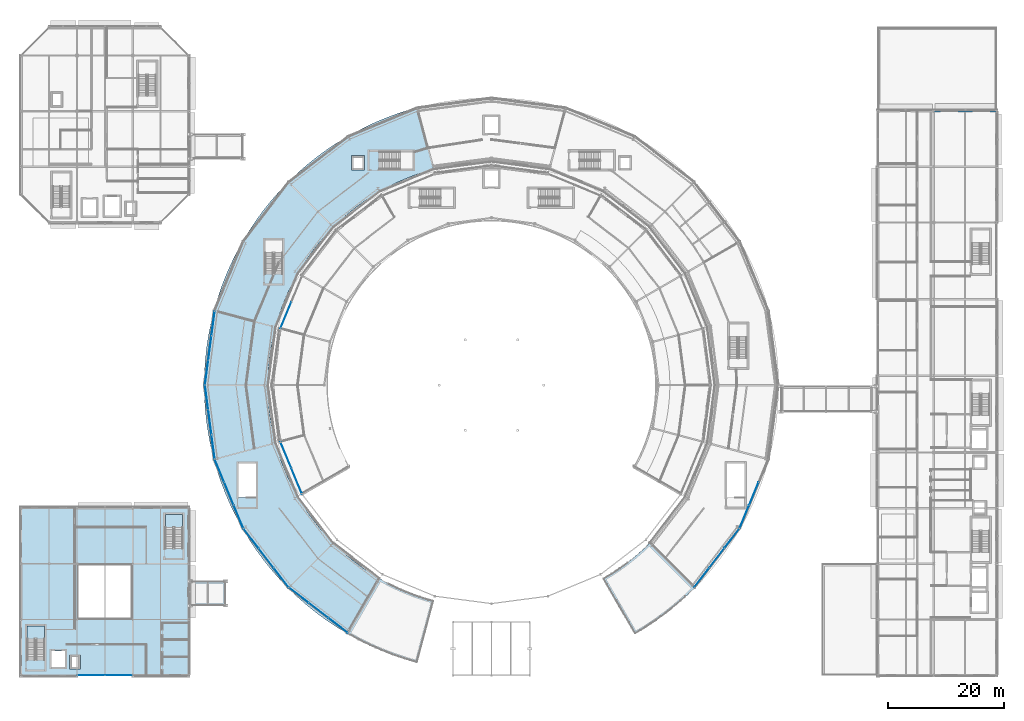
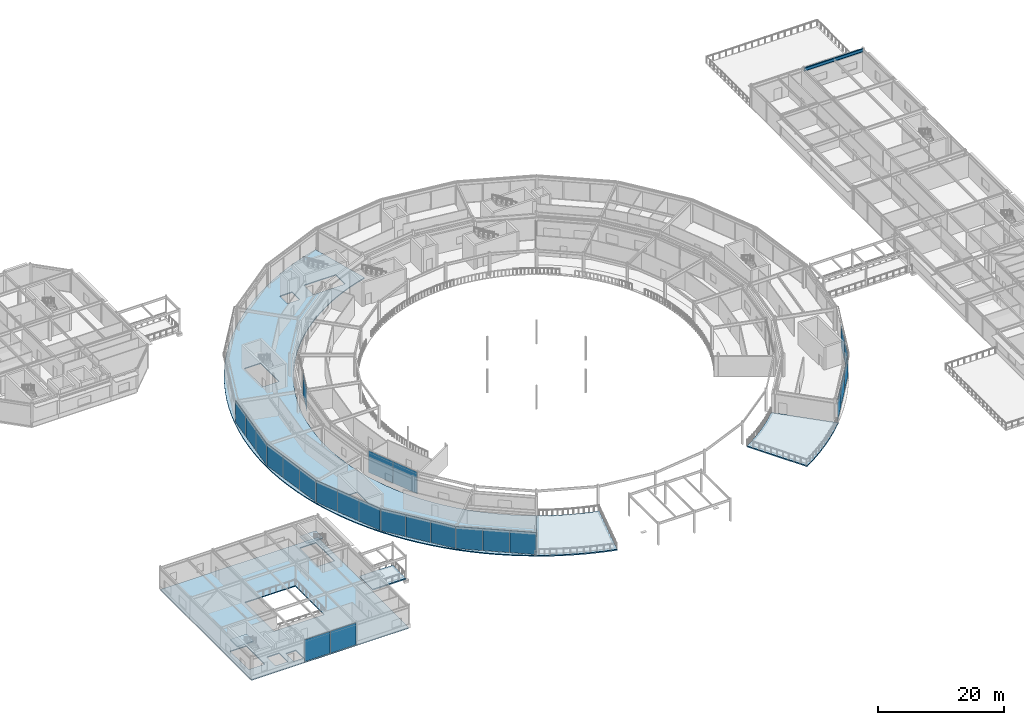
# One storey, part 110 of 157: 25 plates, 7 slabs, 1 beam, 12 elements without a shape of their own.
"""IFC4 building model written with IfcOpenShell, lengths in metres."""

from ifc_helpers import new_model, si_unit, direction, frame, origin, origin_2d, place, context, subcontext, project, spatial, polyline, rectangle, i_section, outline, extrude, material, layer, layer_set, material_profile, profile_set, type_object, element, aggregate, save


model = new_model("IFC4")

# Units and contexts
model_context = context("Model", 3, precision=1e-05, world=origin(), true_north=direction((0.0, 1.0)))
body_context = subcontext(model_context, "Body", "Model", "MODEL_VIEW")
ifc_project = project(units=[si_unit("LENGTHUNIT", "METRE"), si_unit("AREAUNIT", "SQUARE_METRE"), si_unit("VOLUMEUNIT", "CUBIC_METRE"), si_unit("PLANEANGLEUNIT", "RADIAN"), si_unit("MASSUNIT", "GRAM", prefix="KILO")], contexts=[model_context])

# Site, building, storey
site_placement = place(None, origin())
site = spatial("IfcSite", under=ifc_project, at=site_placement, CompositionType="ELEMENT")
building_placement = place(site_placement, origin())
building = spatial("IfcBuilding", under=site, at=building_placement, Name="Almandine Court Research Institute", CompositionType="ELEMENT")
storey_placement = place(building_placement, frame((0.0, 0.0, 5.25)))
storey = spatial("IfcBuildingStorey", under=building, at=storey_placement, Name="L01", CompositionType="ELEMENT", Elevation=5.25)

# Beam
ifc_material_1 = material(Name="Steel ASTM A992 Grade 50", Category="steel")
ifc_material_profile = material_profile(ifc_material_1, i_section(OverallWidth=0.22998046875, OverallDepth=0.616943359375, WebThickness=0.012939453125, FlangeThickness=0.02197265625, at=origin_2d()), Name="W610x140")
ifc_profile_set = profile_set([ifc_material_profile], Name="Steel ASTM A992 Grade 50")
beam_type = type_object("IfcBeamType", Name="Beam-G-02", PredefinedType="BEAM", material=ifc_profile_set)
beam_placement = place(storey_placement, frame((163.199951171875, 103.199951171875, 4.013916015625), z_axis=(1.0, 0.0, 0.0), x_axis=(0.0, 1.0, 0.0)))
element("IfcBeam", 1, at=beam_placement, inside=storey, type_object=beam_type, Name="L01 V4 Primary X Girder", PredefinedType="BEAM", context=body_context, shape_type="SweptSolid", body=[
    extrude(i_section(OverallWidth=0.22998046875, OverallDepth=0.616943359375, WebThickness=0.012939453125, FlangeThickness=0.02197265625, at=origin_2d()), origin(), (0.0, 0.0, 1.0), 10.800048828125),
])

# Curtain wall, plate
ifc_material_2 = material(Name="Unitised Curtain Wall Framing and Solar Glazing", Category="glass")
curtain_wall_type_1 = type_object("IfcCurtainWallType", Name="CW-CWG-24", PredefinedType="USERDEFINED", material=ifc_material_2)
curtain_wall_1_placement = place(storey_placement, origin())
curtain_wall_1 = element("IfcCurtainWall", 2, at=curtain_wall_1_placement, inside=storey, type_object=curtain_wall_type_1, Name="L01 Interaction Atrium Perimeter Curtain Wall 10", ObjectType="UNITISED GLAZING", PredefinedType="USERDEFINED")
ifc_material_3 = material(Name="Double-Glazed Low-E Argon Insulated Glass", Category="glass")
ifc_layer_1 = layer(ifc_material_3, 0.028076171875)
ifc_layer_set_1 = layer_set([ifc_layer_1], Name="Double-Glazed Low-E Argon Insulated Glass")
plate_type_1 = type_object("IfcPlateType", Name="CWPnl-GLZ-28", PredefinedType="CURTAIN_PANEL", material=ifc_layer_set_1)
plate_1_placement = place(storey_placement, frame((51.579345703125, 68.0302734375, 0.06005859375), z_axis=(0.0, 0.0, 1.0), x_axis=(0.382633558665, 0.923900189297, 0.0)))
plate_1 = element("IfcPlate", 3, at=plate_1_placement, type_object=plate_type_1, Name="CWG-24 panel 1.1", PredefinedType="CURTAIN_PANEL", context=body_context, shape_type="SweptSolid", body=[
    extrude(rectangle(XDim=4.82080078125, YDim=0.028076171875, at=origin_2d()), origin(), (0.0, 0.0, 1.0), 4.25),
])
aggregate(curtain_wall_1, [plate_1])

# Curtain wall, plates
curtain_wall_2_placement = place(storey_placement, origin())
curtain_wall_2 = element("IfcCurtainWall", 4, at=curtain_wall_2_placement, inside=storey, type_object=curtain_wall_type_1, Name="L01 Interaction Atrium Perimeter Curtain Wall 13", ObjectType="UNITISED GLAZING", PredefinedType="USERDEFINED")
plate_2_placement = place(storey_placement, frame((53.44677734375, 39.46044921875, 0.06005859375), z_axis=(0.0, 0.0, 1.0), x_axis=(-0.382633558665, 0.923900189297, 0.0)))
plate_2 = element("IfcPlate", 5, at=plate_2_placement, type_object=plate_type_1, Name="CWG-24 panel 1.1", PredefinedType="CURTAIN_PANEL", context=body_context, shape_type="SweptSolid", body=[
    extrude(rectangle(XDim=4.82080078125, YDim=0.028076171875, at=origin_2d()), origin(), (0.0, 0.0, 1.0), 4.25),
])
plate_3_placement = place(storey_placement, frame((51.579345703125, 43.9697265625, 0.06005859375), z_axis=(0.0, 0.0, 1.0), x_axis=(-0.382633558665, 0.923900189297, 0.0)))
plate_3 = element("IfcPlate", 6, at=plate_3_placement, type_object=plate_type_1, Name="CWG-24 panel 2.1", PredefinedType="CURTAIN_PANEL", context=body_context, shape_type="SweptSolid", body=[
    extrude(rectangle(XDim=4.82080078125, YDim=0.028076171875, at=origin_2d()), origin(), (0.0, 0.0, 1.0), 4.25),
])
aggregate(curtain_wall_2, [plate_2, plate_3])

curtain_wall_type_2 = type_object("IfcCurtainWallType", Name="CW-CWJ-02", PredefinedType="USERDEFINED", material=ifc_material_2)
curtain_wall_3_placement = place(storey_placement, origin())
curtain_wall_3 = element("IfcCurtainWall", 7, at=curtain_wall_3_placement, inside=storey, type_object=curtain_wall_type_2, Name="L01 Lecture Foyer South Jali Curtain Wall", ObjectType="SOLAR JALI SCREEN", PredefinedType="USERDEFINED")
ifc_material_4 = material(Name="Perforated Ochre Terracotta Jali Solar Cassette", Category="masonry")
ifc_layer_2 = layer(ifc_material_4, 0.035888671875)
ifc_layer_set_2 = layer_set([ifc_layer_2], Name="Perforated Ochre Terracotta Jali Solar Cassette")
plate_type_2 = type_object("IfcPlateType", Name="CWPnl-JALI-36", PredefinedType="CURTAIN_PANEL", material=ifc_layer_set_2)
plate_4_placement = place(storey_placement, frame((22.78173828125, 6.0, 0.06494140625), z_axis=(0.0, 0.0, 1.0), x_axis=(-1.0, 0.0, 0.0)))
plate_4 = element("IfcPlate", 8, at=plate_4_placement, type_object=plate_type_2, Name="CWJ-02 panel 1.1", PredefinedType="CURTAIN_PANEL", context=body_context, shape_type="SweptSolid", body=[
    extrude(rectangle(XDim=4.698486328125, YDim=0.035888671875, at=origin_2d()), origin(), (0.0, 0.0, 1.0), 4.239990234375),
])
plate_5_placement = place(storey_placement, frame((18.018310546875, 6.0, 0.06494140625), z_axis=(0.0, 0.0, 1.0), x_axis=(-1.0, 0.0, 0.0)))
plate_5 = element("IfcPlate", 9, at=plate_5_placement, type_object=plate_type_2, Name="CWJ-02 panel 2.1", PredefinedType="CURTAIN_PANEL", context=body_context, shape_type="SweptSolid", body=[
    extrude(rectangle(XDim=4.698486328125, YDim=0.035888671875, at=origin_2d()), origin(), (0.0, 0.0, 1.0), 4.239990234375),
])
aggregate(curtain_wall_3, [plate_4, plate_5])

curtain_wall_type_3 = type_object("IfcCurtainWallType", Name="CW-CWJ-19", PredefinedType="USERDEFINED", material=ifc_material_2)
curtain_wall_4_placement = place(storey_placement, origin())
curtain_wall_4 = element("IfcCurtainWall", 10, at=curtain_wall_4_placement, inside=storey, type_object=curtain_wall_type_3, Name="L01 Stacked-Ring Drum Outer Solar Jali Screen 21", ObjectType="SOLAR JALI SCREEN", PredefinedType="USERDEFINED")
plate_6_placement = place(storey_placement, frame((128.4287109375, 29.601318359375, 0.06494140625), z_axis=(0.0, 0.0, 1.0), x_axis=(-0.608723313303, -0.793382586046, 0.0)))
plate_6 = element("IfcPlate", 11, at=plate_6_placement, type_object=plate_type_2, Name="CWJ-19 panel 1.1", PredefinedType="CURTAIN_PANEL", context=body_context, shape_type="SweptSolid", body=[
    extrude(rectangle(XDim=4.195068359375, YDim=0.035888671875, at=origin_2d()), origin(), (0.0, 0.0, 1.0), 4.239990234375),
])
plate_7_placement = place(storey_placement, frame((125.825439453125, 26.20849609375, 0.06494140625), z_axis=(0.0, 0.0, 1.0), x_axis=(-0.608723313303, -0.793382586046, 0.0)))
plate_7 = element("IfcPlate", 12, at=plate_7_placement, type_object=plate_type_2, Name="CWJ-19 panel 2.1", PredefinedType="CURTAIN_PANEL", context=body_context, shape_type="SweptSolid", body=[
    extrude(rectangle(XDim=4.2275390625, YDim=0.035888671875, at=origin_2d()), origin(), (0.0, 0.0, 1.0), 4.239990234375),
])
plate_8_placement = place(storey_placement, frame((123.222412109375, 22.815673828125, 0.06494140625), z_axis=(0.0, 0.0, 1.0), x_axis=(-0.608723313303, -0.793382586046, 0.0)))
plate_8 = element("IfcPlate", 13, at=plate_8_placement, type_object=plate_type_2, Name="CWJ-19 panel 3.1", PredefinedType="CURTAIN_PANEL", context=body_context, shape_type="SweptSolid", body=[
    extrude(rectangle(XDim=4.195068359375, YDim=0.035888671875, at=origin_2d()), origin(), (0.0, 0.0, 1.0), 4.239990234375),
])
aggregate(curtain_wall_4, [plate_6, plate_7, plate_8])

curtain_wall_5_placement = place(storey_placement, origin())
curtain_wall_5 = element("IfcCurtainWall", 14, at=curtain_wall_5_placement, inside=storey, type_object=curtain_wall_type_3, Name="L01 Stacked-Ring Drum Outer Solar Jali Screen 22", ObjectType="SOLAR JALI SCREEN", PredefinedType="USERDEFINED")
plate_9_placement = place(storey_placement, frame((132.212890625, 37.27197265625, 0.06494140625), z_axis=(0.0, 0.0, 1.0), x_axis=(-0.382662689242, -0.923888124321, 0.0)))
plate_9 = element("IfcPlate", 15, at=plate_9_placement, type_object=plate_type_2, Name="CWJ-19 panel 2.1", PredefinedType="CURTAIN_PANEL", context=body_context, shape_type="SweptSolid", body=[
    extrude(rectangle(XDim=4.227783203125, YDim=0.035888671875, at=origin_2d()), origin(), (0.0, 0.0, 1.0), 4.239990234375),
])
plate_10_placement = place(storey_placement, frame((130.57666015625, 33.321044921875, 0.06494140625), z_axis=(0.0, 0.0, 1.0), x_axis=(-0.382662689242, -0.923888124321, 0.0)))
plate_10 = element("IfcPlate", 16, at=plate_10_placement, type_object=plate_type_2, Name="CWJ-19 panel 3.1", PredefinedType="CURTAIN_PANEL", context=body_context, shape_type="SweptSolid", body=[
    extrude(rectangle(XDim=4.1953125, YDim=0.035888671875, at=origin_2d()), origin(), (0.0, 0.0, 1.0), 4.239990234375),
])
aggregate(curtain_wall_5, [plate_9, plate_10])

curtain_wall_6_placement = place(storey_placement, origin())
curtain_wall_6 = element("IfcCurtainWall", 17, at=curtain_wall_6_placement, inside=storey, type_object=curtain_wall_type_3, Name="L01 Stacked-Ring Drum Outer Solar Jali Screen 11", ObjectType="SOLAR JALI SCREEN", PredefinedType="USERDEFINED")
plate_11_placement = place(storey_placement, frame((37.92236328125, 58.14794921875, 0.06494140625), z_axis=(0.0, 0.0, 1.0), x_axis=(0.130540891259, 0.991442926098, 0.0)))
plate_11 = element("IfcPlate", 18, at=plate_11_placement, type_object=plate_type_2, Name="CWJ-19 panel 1.1", PredefinedType="CURTAIN_PANEL", context=body_context, shape_type="SweptSolid", body=[
    extrude(rectangle(XDim=4.19482421875, YDim=0.035888671875, at=origin_2d()), origin(), (0.0, 0.0, 1.0), 4.239990234375),
])
plate_12_placement = place(storey_placement, frame((38.48046875, 62.387451171875, 0.06494140625), z_axis=(0.0, 0.0, 1.0), x_axis=(0.130540891259, 0.991442926098, 0.0)))
plate_12 = element("IfcPlate", 19, at=plate_12_placement, type_object=plate_type_2, Name="CWJ-19 panel 2.1", PredefinedType="CURTAIN_PANEL", context=body_context, shape_type="SweptSolid", body=[
    extrude(rectangle(XDim=4.227294921875, YDim=0.035888671875, at=origin_2d()), origin(), (0.0, 0.0, 1.0), 4.239990234375),
])
plate_13_placement = place(storey_placement, frame((39.038818359375, 66.626953125, 0.06494140625), z_axis=(0.0, 0.0, 1.0), x_axis=(0.130540891259, 0.991442926098, 0.0)))
plate_13 = element("IfcPlate", 20, at=plate_13_placement, type_object=plate_type_2, Name="CWJ-19 panel 3.1", PredefinedType="CURTAIN_PANEL", context=body_context, shape_type="SweptSolid", body=[
    extrude(rectangle(XDim=4.19482421875, YDim=0.035888671875, at=origin_2d()), origin(), (0.0, 0.0, 1.0), 4.239990234375),
])
aggregate(curtain_wall_6, [plate_11, plate_12, plate_13])

curtain_wall_7_placement = place(storey_placement, origin())
curtain_wall_7 = element("IfcCurtainWall", 21, at=curtain_wall_7_placement, inside=storey, type_object=curtain_wall_type_3, Name="L01 Stacked-Ring Drum Outer Solar Jali Screen 12", ObjectType="SOLAR JALI SCREEN", PredefinedType="USERDEFINED")
plate_14_placement = place(storey_placement, frame((39.038818359375, 45.373046875, 0.06494140625), z_axis=(0.0, 0.0, 1.0), x_axis=(-0.130540891259, 0.991442926098, 0.0)))
plate_14 = element("IfcPlate", 22, at=plate_14_placement, type_object=plate_type_2, Name="CWJ-19 panel 1.1", PredefinedType="CURTAIN_PANEL", context=body_context, shape_type="SweptSolid", body=[
    extrude(rectangle(XDim=4.19482421875, YDim=0.035888671875, at=origin_2d()), origin(), (0.0, 0.0, 1.0), 4.239990234375),
])
plate_15_placement = place(storey_placement, frame((38.48046875, 49.612548828125, 0.06494140625), z_axis=(0.0, 0.0, 1.0), x_axis=(-0.130540891259, 0.991442926098, 0.0)))
plate_15 = element("IfcPlate", 23, at=plate_15_placement, type_object=plate_type_2, Name="CWJ-19 panel 2.1", PredefinedType="CURTAIN_PANEL", context=body_context, shape_type="SweptSolid", body=[
    extrude(rectangle(XDim=4.227294921875, YDim=0.035888671875, at=origin_2d()), origin(), (0.0, 0.0, 1.0), 4.239990234375),
])
plate_16_placement = place(storey_placement, frame((37.92236328125, 53.85205078125, 0.06494140625), z_axis=(0.0, 0.0, 1.0), x_axis=(-0.130540891259, 0.991442926098, 0.0)))
plate_16 = element("IfcPlate", 24, at=plate_16_placement, type_object=plate_type_2, Name="CWJ-19 panel 3.1", PredefinedType="CURTAIN_PANEL", context=body_context, shape_type="SweptSolid", body=[
    extrude(rectangle(XDim=4.19482421875, YDim=0.035888671875, at=origin_2d()), origin(), (0.0, 0.0, 1.0), 4.239990234375),
])
aggregate(curtain_wall_7, [plate_14, plate_15, plate_16])

curtain_wall_8_placement = place(storey_placement, origin())
curtain_wall_8 = element("IfcCurtainWall", 25, at=curtain_wall_8_placement, inside=storey, type_object=curtain_wall_type_3, Name="L01 Stacked-Ring Drum Outer Solar Jali Screen 13", ObjectType="SOLAR JALI SCREEN", PredefinedType="USERDEFINED")
plate_17_placement = place(storey_placement, frame((43.42333984375, 33.321044921875, 0.06494140625), z_axis=(0.0, 0.0, 1.0), x_axis=(-0.382662689242, 0.923888124321, 0.0)))
plate_17 = element("IfcPlate", 26, at=plate_17_placement, type_object=plate_type_2, Name="CWJ-19 panel 1.1", PredefinedType="CURTAIN_PANEL", context=body_context, shape_type="SweptSolid", body=[
    extrude(rectangle(XDim=4.1953125, YDim=0.035888671875, at=origin_2d()), origin(), (0.0, 0.0, 1.0), 4.239990234375),
])
plate_18_placement = place(storey_placement, frame((41.787109375, 37.27197265625, 0.06494140625), z_axis=(0.0, 0.0, 1.0), x_axis=(-0.382662689242, 0.923888124321, 0.0)))
plate_18 = element("IfcPlate", 27, at=plate_18_placement, type_object=plate_type_2, Name="CWJ-19 panel 2.1", PredefinedType="CURTAIN_PANEL", context=body_context, shape_type="SweptSolid", body=[
    extrude(rectangle(XDim=4.227783203125, YDim=0.035888671875, at=origin_2d()), origin(), (0.0, 0.0, 1.0), 4.239990234375),
])
plate_19_placement = place(storey_placement, frame((40.150634765625, 41.222900390625, 0.06494140625), z_axis=(0.0, 0.0, 1.0), x_axis=(-0.382662689242, 0.923888124321, 0.0)))
plate_19 = element("IfcPlate", 28, at=plate_19_placement, type_object=plate_type_2, Name="CWJ-19 panel 3.1", PredefinedType="CURTAIN_PANEL", context=body_context, shape_type="SweptSolid", body=[
    extrude(rectangle(XDim=4.1953125, YDim=0.035888671875, at=origin_2d()), origin(), (0.0, 0.0, 1.0), 4.239990234375),
])
aggregate(curtain_wall_8, [plate_17, plate_18, plate_19])

curtain_wall_9_placement = place(storey_placement, origin())
curtain_wall_9 = element("IfcCurtainWall", 29, at=curtain_wall_9_placement, inside=storey, type_object=curtain_wall_type_3, Name="L01 Stacked-Ring Drum Outer Solar Jali Screen 14", ObjectType="SOLAR JALI SCREEN", PredefinedType="USERDEFINED")
plate_20_placement = place(storey_placement, frame((50.777587890625, 22.815673828125, 0.06494140625), z_axis=(0.0, 0.0, 1.0), x_axis=(-0.608723313303, 0.793382586046, 0.0)))
plate_20 = element("IfcPlate", 30, at=plate_20_placement, type_object=plate_type_2, Name="CWJ-19 panel 1.1", PredefinedType="CURTAIN_PANEL", context=body_context, shape_type="SweptSolid", body=[
    extrude(rectangle(XDim=4.195068359375, YDim=0.035888671875, at=origin_2d()), origin(), (0.0, 0.0, 1.0), 4.239990234375),
])
plate_21_placement = place(storey_placement, frame((48.174560546875, 26.20849609375, 0.06494140625), z_axis=(0.0, 0.0, 1.0), x_axis=(-0.608723313303, 0.793382586046, 0.0)))
plate_21 = element("IfcPlate", 31, at=plate_21_placement, type_object=plate_type_2, Name="CWJ-19 panel 2.1", PredefinedType="CURTAIN_PANEL", context=body_context, shape_type="SweptSolid", body=[
    extrude(rectangle(XDim=4.2275390625, YDim=0.035888671875, at=origin_2d()), origin(), (0.0, 0.0, 1.0), 4.239990234375),
])
plate_22_placement = place(storey_placement, frame((45.5712890625, 29.601318359375, 0.06494140625), z_axis=(0.0, 0.0, 1.0), x_axis=(-0.608723313303, 0.793382586046, 0.0)))
plate_22 = element("IfcPlate", 32, at=plate_22_placement, type_object=plate_type_2, Name="CWJ-19 panel 3.1", PredefinedType="CURTAIN_PANEL", context=body_context, shape_type="SweptSolid", body=[
    extrude(rectangle(XDim=4.195068359375, YDim=0.035888671875, at=origin_2d()), origin(), (0.0, 0.0, 1.0), 4.239990234375),
])
aggregate(curtain_wall_9, [plate_20, plate_21, plate_22])

curtain_wall_10_placement = place(storey_placement, origin())
curtain_wall_10 = element("IfcCurtainWall", 33, at=curtain_wall_10_placement, inside=storey, type_object=curtain_wall_type_3, Name="L01 Stacked-Ring Drum Outer Solar Jali Screen 15", ObjectType="SOLAR JALI SCREEN", PredefinedType="USERDEFINED")
plate_23_placement = place(storey_placement, frame((60.601318359375, 14.5712890625, 0.06494140625), z_axis=(0.0, 0.0, 1.0), x_axis=(-0.793382586046, 0.608723313303, 0.0)))
plate_23 = element("IfcPlate", 34, at=plate_23_placement, type_object=plate_type_2, Name="CWJ-19 panel 1.1", PredefinedType="CURTAIN_PANEL", context=body_context, shape_type="SweptSolid", body=[
    extrude(rectangle(XDim=4.195068359375, YDim=0.035888671875, at=origin_2d()), origin(), (0.0, 0.0, 1.0), 4.239990234375),
])
plate_24_placement = place(storey_placement, frame((57.20849609375, 17.174560546875, 0.06494140625), z_axis=(0.0, 0.0, 1.0), x_axis=(-0.793382586046, 0.608723313303, 0.0)))
plate_24 = element("IfcPlate", 35, at=plate_24_placement, type_object=plate_type_2, Name="CWJ-19 panel 2.1", PredefinedType="CURTAIN_PANEL", context=body_context, shape_type="SweptSolid", body=[
    extrude(rectangle(XDim=4.2275390625, YDim=0.035888671875, at=origin_2d()), origin(), (0.0, 0.0, 1.0), 4.239990234375),
])
plate_25_placement = place(storey_placement, frame((53.815673828125, 19.777587890625, 0.06494140625), z_axis=(0.0, 0.0, 1.0), x_axis=(-0.793382586046, 0.608723313303, 0.0)))
plate_25 = element("IfcPlate", 36, at=plate_25_placement, type_object=plate_type_2, Name="CWJ-19 panel 3.1", PredefinedType="CURTAIN_PANEL", context=body_context, shape_type="SweptSolid", body=[
    extrude(rectangle(XDim=4.195068359375, YDim=0.035888671875, at=origin_2d()), origin(), (0.0, 0.0, 1.0), 4.239990234375),
])
aggregate(curtain_wall_10, [plate_23, plate_24, plate_25])

# Slabs
ifc_material_5 = material(Name="Concrete C35/45", Category="concrete")
ifc_layer_3 = layer(ifc_material_5, 0.179931640625)
ifc_layer_set_3 = layer_set([ifc_layer_3], Name="Concrete C35/45")
slab_type_1 = type_object("IfcSlabType", Name="Slab-FLR-180", PredefinedType="FLOOR", material=ifc_layer_set_3)
slab_1_placement = place(storey_placement, frame((0.0, 0.0, -0.179931640625)))
element("IfcSlab", 37, at=slab_1_placement, inside=storey, type_object=slab_type_1, Name="L01 Volume 1 Lecture Pavilion Structural Slab", PredefinedType="FLOOR", context=body_context, shape_type="SweptSolid", body=[
    extrude(outline(polyline([(6.0, 6.0), (34.800048828125, 6.0), (34.800048828125, 34.800048828125), (6.0, 34.800048828125), (6.0, 6.0)]), holes=[polyline([(10.0, 8.64990234375), (10.0, 14.5), (7.0, 14.5), (7.0, 8.64990234375), (10.0, 8.64990234375)]), polyline([(33.800048828125, 27.85009765625), (33.800048828125, 33.699951171875), (30.800048828125, 33.699951171875), (30.800048828125, 27.85009765625), (33.800048828125, 27.85009765625)]), polyline([(11.199951171875, 7.39990234375), (13.5, 7.39990234375), (13.5, 10.199951171875), (11.199951171875, 10.199951171875), (11.199951171875, 7.39990234375)]), polyline([(14.330078125, 7.080078125), (16.169921875, 7.080078125), (16.169921875, 9.52001953125), (14.330078125, 9.52001953125), (14.330078125, 7.080078125)]), polyline([(15.800048828125, 15.800048828125), (25.0, 15.800048828125), (25.0, 25.0), (15.800048828125, 25.0), (15.800048828125, 15.800048828125)])]), origin(), (0.0, 0.0, 1.0), 0.179931640625),
])
slab_2_placement = place(storey_placement, frame((0.0, 0.0, -0.179931640625)))
element("IfcSlab", 38, at=slab_2_placement, inside=storey, type_object=slab_type_1, Name="L01 Volume 5 Stacked-Ring Drum W Laboratory Slab", PredefinedType="FLOOR", context=body_context, shape_type="SweptSolid", body=[
    extrude(outline(polyline([(74.18798828125, 103.81298828125), (72.114990234375, 103.208984375), (70.070068359375, 102.514892578125), (68.056884765625, 101.73193359375), (66.080078125, 100.862060546875), (64.14306640625, 99.906982421875), (62.25, 98.867919921875), (60.404052734375, 97.748046875), (58.60791015625, 96.548095703125), (56.865966796875, 95.27099609375), (55.181884765625, 93.9189453125), (53.55810546875, 92.4951171875), (51.998046875, 91.001953125), (50.5048828125, 89.44189453125), (49.0810546875, 87.818115234375), (47.72900390625, 86.134033203125), (46.451904296875, 84.39208984375), (45.251953125, 82.595947265625), (44.132080078125, 80.75), (43.093017578125, 78.85693359375), (42.137939453125, 76.919921875), (41.26806640625, 74.943115234375), (40.485107421875, 72.929931640625), (39.791015625, 70.885009765625), (39.18701171875, 68.81201171875), (38.673095703125, 66.714111328125), (38.251953125, 64.595947265625), (37.923095703125, 62.4609375), (37.68798828125, 60.31396484375), (37.547119140625, 58.158935546875), (37.5, 56.0), (37.547119140625, 53.841064453125), (37.68798828125, 51.68603515625), (37.923095703125, 49.5390625), (38.251953125, 47.404052734375), (38.673095703125, 45.285888671875), (39.18701171875, 43.18798828125), (39.791015625, 41.114990234375), (40.485107421875, 39.070068359375), (41.26806640625, 37.056884765625), (42.137939453125, 35.080078125), (43.093017578125, 33.14306640625), (44.132080078125, 31.25), (45.251953125, 29.404052734375), (46.451904296875, 27.60791015625), (47.72900390625, 25.865966796875), (49.0810546875, 24.181884765625), (50.5048828125, 22.55810546875), (51.998046875, 20.998046875), (53.55810546875, 19.5048828125), (55.181884765625, 18.0810546875), (56.865966796875, 16.72900390625), (58.60791015625, 15.451904296875), (60.404052734375, 14.251953125), (62.25, 13.132080078125), (67.75, 22.657958984375), (66.31396484375, 23.529052734375), (64.9169921875, 24.462890625), (63.56298828125, 25.4560546875), (62.2529296875, 26.507080078125), (60.989990234375, 27.614990234375), (59.77587890625, 28.77587890625), (58.614990234375, 29.989990234375), (57.507080078125, 31.2529296875), (56.4560546875, 32.56298828125), (55.462890625, 33.9169921875), (54.529052734375, 35.31396484375), (53.657958984375, 36.75), (52.85009765625, 38.222900390625), (52.10693359375, 39.72900390625), (51.430908203125, 41.26708984375), (50.822021484375, 42.83203125), (50.281982421875, 44.423095703125), (49.81201171875, 46.034912109375), (49.4130859375, 47.6669921875), (49.0849609375, 49.31494140625), (48.8291015625, 50.97509765625), (48.64697265625, 52.64501953125), (48.537109375, 54.321044921875), (48.5, 56.0), (48.537109375, 57.678955078125), (48.64697265625, 59.35498046875), (48.8291015625, 61.02490234375), (49.0849609375, 62.68505859375), (49.4130859375, 64.3330078125), (49.81201171875, 65.965087890625), (50.281982421875, 67.576904296875), (50.822021484375, 69.16796875), (51.430908203125, 70.73291015625), (52.10693359375, 72.27099609375), (52.85009765625, 73.777099609375), (53.657958984375, 75.25), (54.529052734375, 76.68603515625), (55.462890625, 78.0830078125), (56.4560546875, 79.43701171875), (57.507080078125, 80.7470703125), (58.614990234375, 82.010009765625), (59.77587890625, 83.22412109375), (60.989990234375, 84.385009765625), (62.2529296875, 85.492919921875), (63.56298828125, 86.5439453125), (64.9169921875, 87.537109375), (66.31396484375, 88.470947265625), (67.75, 89.342041015625), (69.222900390625, 90.14990234375), (70.72900390625, 90.89306640625), (72.26708984375, 91.569091796875), (73.83203125, 92.177978515625), (75.423095703125, 92.718017578125), (77.034912109375, 93.18798828125), (74.18798828125, 103.81298828125)]), holes=[polyline([(67.64990234375, 93.199951171875), (73.5, 93.199951171875), (73.5, 96.199951171875), (67.64990234375, 96.199951171875), (67.64990234375, 93.199951171875)]), polyline([(51.0, 75.14990234375), (51.0, 81.0), (48.0, 81.0), (48.0, 75.14990234375), (51.0, 75.14990234375)]), polyline([(46.39990234375, 36.64990234375), (46.39990234375, 42.5), (43.39990234375, 42.5), (43.39990234375, 36.64990234375), (46.39990234375, 36.64990234375)]), polyline([(62.8798828125, 93.080078125), (65.1201171875, 93.080078125), (65.1201171875, 95.52001953125), (62.8798828125, 95.52001953125), (62.8798828125, 93.080078125)])]), origin(), (0.0, 0.0, 1.0), 0.179931640625),
])

# Stair, slab
stair_type = type_object("IfcStairType", Name="Stair-Core-26R", PredefinedType="HALF_TURN_STAIR", material=ifc_material_5)
stair_1_placement = place(storey_placement, origin())
stair_1 = element("IfcStair", 39, at=stair_1_placement, inside=storey, type_object=stair_type, Name="L01 Volume 1 Southwest Exit Stair", PredefinedType="HALF_TURN_STAIR")
ifc_layer_4 = layer(ifc_material_5, 0.179931640625)
ifc_layer_set_4 = layer_set([ifc_layer_4], Name="Concrete C35/45")
slab_type_2 = type_object("IfcSlabType", Name="Slab-Landing-180", PredefinedType="LANDING", material=ifc_layer_set_4)
slab_3_placement = place(storey_placement, frame((0.0, 0.0, 2.094970703125)))
slab_3 = element("IfcSlab", 40, at=slab_3_placement, type_object=slab_type_2, Name="ST-01 landing 1", PredefinedType="LANDING", context=body_context, shape_type="SweptSolid", body=[
    extrude(outline(polyline([(10.0, 12.25), (10.0, 14.5), (7.0, 14.5), (7.0, 12.25), (10.0, 12.25)])), origin(), (0.0, 0.0, 1.0), 0.179931640625),
])
aggregate(stair_1, [slab_3])

stair_2_placement = place(storey_placement, origin())
stair_2 = element("IfcStair", 41, at=stair_2_placement, inside=storey, type_object=stair_type, Name="L01 Volume 1 Northeast Exit Stair", PredefinedType="HALF_TURN_STAIR")
slab_4_placement = place(storey_placement, frame((0.0, 0.0, 2.094970703125)))
slab_4 = element("IfcSlab", 42, at=slab_4_placement, type_object=slab_type_2, Name="ST-02 landing 1", PredefinedType="LANDING", context=body_context, shape_type="SweptSolid", body=[
    extrude(outline(polyline([(33.800048828125, 31.449951171875), (33.800048828125, 33.699951171875), (30.800048828125, 33.699951171875), (30.800048828125, 31.449951171875), (33.800048828125, 31.449951171875)])), origin(), (0.0, 0.0, 1.0), 0.179931640625),
])
aggregate(stair_2, [slab_4])

# Slabs
ifc_layer_5 = layer(ifc_material_5, 0.22509765625)
ifc_layer_set_5 = layer_set([ifc_layer_5], Name="Concrete C35/45")
slab_type_3 = type_object("IfcSlabType", Name="Slab-TER-225", PredefinedType="FLOOR", material=ifc_layer_set_5)
slab_5_placement = place(storey_placement, frame((0.0, 0.0, -0.22509765625)))
element("IfcSlab", 43, at=slab_5_placement, inside=storey, type_object=slab_type_3, Name="L01 Volume 5 Stacked-Ring Terrace Slab 1", PredefinedType="FLOOR", context=body_context, shape_type="SweptSolid", body=[
    extrude(outline(polyline([(111.75, 13.132080078125), (113.595947265625, 14.251953125), (115.39208984375, 15.451904296875), (117.134033203125, 16.72900390625), (118.818115234375, 18.0810546875), (120.44189453125, 19.5048828125), (122.001953125, 20.998046875), (114.22412109375, 28.77587890625), (113.010009765625, 27.614990234375), (111.7470703125, 26.507080078125), (110.43701171875, 25.4560546875), (109.0830078125, 24.462890625), (107.68603515625, 23.529052734375), (106.25, 22.657958984375), (111.75, 13.132080078125)])), origin(), (0.0, 0.0, 1.0), 0.22509765625),
])
slab_6_placement = place(storey_placement, frame((0.0, 0.0, -0.22509765625)))
element("IfcSlab", 44, at=slab_6_placement, inside=storey, type_object=slab_type_3, Name="L01 Volume 5 Stacked-Ring Terrace Slab 2", PredefinedType="FLOOR", context=body_context, shape_type="SweptSolid", body=[
    extrude(outline(polyline([(62.25, 13.132080078125), (64.14306640625, 12.093017578125), (66.080078125, 11.137939453125), (68.056884765625, 10.26806640625), (70.070068359375, 9.485107421875), (72.114990234375, 8.791015625), (74.18798828125, 8.18701171875), (77.034912109375, 18.81201171875), (75.423095703125, 19.281982421875), (73.83203125, 19.822021484375), (72.26708984375, 20.430908203125), (70.72900390625, 21.10693359375), (69.222900390625, 21.85009765625), (67.75, 22.657958984375), (62.25, 13.132080078125)])), origin(), (0.0, 0.0, 1.0), 0.22509765625),
])
slab_7_placement = place(storey_placement, frame((0.0, 0.0, -0.22509765625)))
element("IfcSlab", 45, at=slab_7_placement, inside=storey, type_object=slab_type_3, Name="L01 Southwest Covered Dalan Passage Covered Bridge Deck Slab", PredefinedType="FLOOR", context=body_context, shape_type="SweptSolid", body=[
    extrude(outline(polyline([(35.10009765625, 18.0), (41.199951171875, 18.0), (41.199951171875, 22.199951171875), (35.10009765625, 22.199951171875), (35.10009765625, 18.0)])), origin(), (0.0, 0.0, 1.0), 0.22509765625),
])

save(model, "model.ifc")
